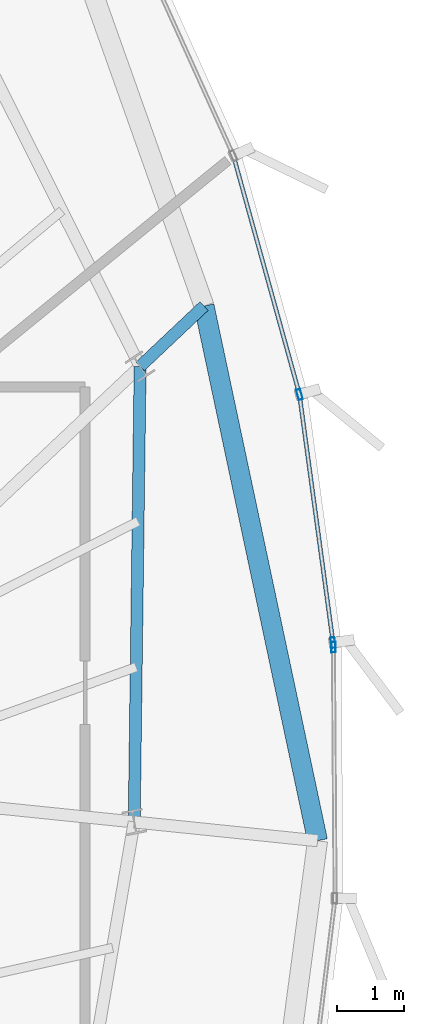
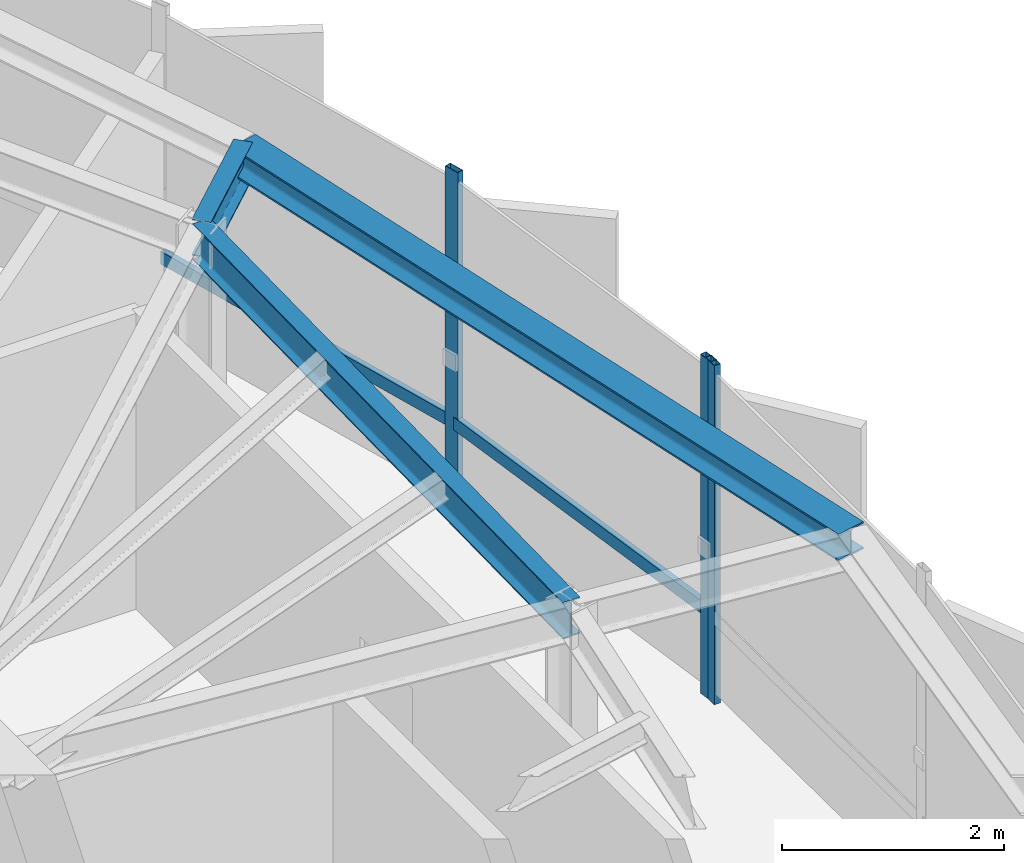
# One storey, part 13 of 26: 5 members, 3 beams, 2 elements without a shape of their own.
"""IFC4 building model written with IfcOpenShell, lengths in metres."""

from ifc_helpers import new_model, si_unit, direction, frame, origin, origin_2d, place, context, subcontext, project, spatial, hollow_rectangle, i_section, extrude, source, transform, mapped, material, layer, layer_set, material_profile, profile_set, type_object, element, aggregate, save


model = new_model("IFC4")

# Units and contexts
model_context = context("Model", 3, precision=1e-05, world=origin(), true_north=direction((0.0, 1.0)))
body_context = subcontext(model_context, "Body", "Model", "MODEL_VIEW")
ifc_project = project(units=[si_unit("LENGTHUNIT", "METRE"), si_unit("AREAUNIT", "SQUARE_METRE"), si_unit("VOLUMEUNIT", "CUBIC_METRE"), si_unit("PLANEANGLEUNIT", "RADIAN"), si_unit("MASSUNIT", "GRAM", prefix="KILO"), si_unit("THERMODYNAMICTEMPERATUREUNIT", "KELVIN")], contexts=[model_context])

# Site, building, storey
site_placement = place(None, origin())
site = spatial("IfcSite", under=ifc_project, at=site_placement, CompositionType="ELEMENT")
building_placement = place(site_placement, origin())
building = spatial("IfcBuilding", under=site, at=building_placement, Name="Kethvar Cultural Tower", CompositionType="ELEMENT")
storey_placement = place(building_placement, frame((0.0, 0.0, 320.300048828125)))
storey = spatial("IfcBuildingStorey", under=building, at=storey_placement, Name="L85", CompositionType="ELEMENT", Elevation=320.300048828125)

# Beams
ifc_material_1 = material(Name="Steel S355J2", Category="steel")
ifc_material_profile_1 = material_profile(ifc_material_1, i_section(OverallWidth=0.179931640625, OverallDepth=0.39990234375, WebThickness=0.008544921875, FlangeThickness=0.013427734375, FilletRadius=0.02099609375, at=origin_2d()), Name="Steel S355J2 — IPE400")
ifc_profile_set_1 = profile_set([ifc_material_profile_1], Name="Steel S355J2 — IPE400")
beam_type_1 = type_object("IfcBeamType", Name="BM-IPE400", PredefinedType="BEAM", material=ifc_profile_set_1)
shared_shape_1 = source(origin(), body_context, "Body", "SweptSolid", [
    extrude(i_section(OverallWidth=0.179931640625, OverallDepth=0.39990234375, WebThickness=0.008544921875, FlangeThickness=0.013427734375, FilletRadius=0.02099609375, at=origin_2d()), origin(), (0.0, 0.0, 1.0), 6.834716796875),
])
beam_1_placement = place(storey_placement, frame((61.237060546875, 30.671630859375, 3.532958984375), z_axis=(0.012966437445, 0.999915932216, 0.0), x_axis=(-0.999915932216, 0.012966437445, 0.0)))
element("IfcBeam", 1, at=beam_1_placement, inside=storey, type_object=beam_type_1, Name="L85 Column Ring Tie Beam CR-01", PredefinedType="BEAM", context=body_context, shape_type="MappedRepresentation", body=[
    mapped(shared_shape_1, transform((0.0, 0.0, 0.0), scale=1.0)),
])
shared_shape_2 = source(origin(), body_context, "Body", "SweptSolid", [
    extrude(i_section(OverallWidth=0.179931640625, OverallDepth=0.39990234375, WebThickness=0.008544921875, FlangeThickness=0.013427734375, FilletRadius=0.02099609375, at=origin_2d()), origin(), (0.0, 0.0, 1.0), 1.31982421875),
])
beam_2_placement = place(storey_placement, frame((61.32568359375, 37.505859375, 3.532958984375), z_axis=(0.727161905196, 0.686465995976, 0.0), x_axis=(-0.686465995976, 0.727161905196, 0.0)))
element("IfcBeam", 2, at=beam_2_placement, inside=storey, type_object=beam_type_1, Name="L85 Perimeter Cantilever Beam RC-02", PredefinedType="BEAM", context=body_context, shape_type="MappedRepresentation", body=[
    mapped(shared_shape_2, transform((0.0, 0.0, 0.0), scale=1.0)),
])
ifc_material_profile_2 = material_profile(ifc_material_1, i_section(OverallWidth=0.300048828125, OverallDepth=0.300048828125, WebThickness=0.010986328125, FlangeThickness=0.01904296875, FilletRadius=0.027099609375, at=origin_2d()), Name="Steel S355J2 — HEB300")
ifc_profile_set_2 = profile_set([ifc_material_profile_2], Name="Steel S355J2 — HEB300")
beam_type_2 = type_object("IfcBeamType", Name="BM-SP300", PredefinedType="SPANDREL", material=ifc_profile_set_2)
shared_shape_3 = source(origin(), body_context, "Body", "SweptSolid", [
    extrude(i_section(OverallWidth=0.300048828125, OverallDepth=0.300048828125, WebThickness=0.010986328125, FlangeThickness=0.01904296875, FilletRadius=0.027099609375, at=origin_2d()), origin(), (0.0, 0.0, 1.0), 8.201171875),
])
beam_3_placement = place(storey_placement, frame((63.98779296875, 30.389404296875, 3.5830078125), z_axis=(-0.207581037514, 0.978217824855, 0.0), x_axis=(-0.978217824855, -0.207581037514, 0.0)))
element("IfcBeam", 3, at=beam_3_placement, inside=storey, type_object=beam_type_2, Name="L85 Perimeter Spandrel Beam SP-01", PredefinedType="SPANDREL", context=body_context, shape_type="MappedRepresentation", body=[
    mapped(shared_shape_3, transform((0.0, 0.0, 0.0), scale=1.0)),
])

# Curtain wall, member
ifc_material_2 = material(Name="Aluminium 6063-T6", Category="aluminium")
ifc_layer = layer(ifc_material_2, 0.179931640625, Name="Aluminium 6063-T6", Category="aluminium")
ifc_layer_set = layer_set([ifc_layer], Name="Aluminium 6063-T6 (180 mm)")
curtain_wall_type = type_object("IfcCurtainWallType", Name="CW-SYS-06-CROWN", PredefinedType="NOTDEFINED", material=ifc_layer_set)
curtain_wall_1_placement = place(storey_placement, origin())
curtain_wall_1 = element("IfcCurtainWall", 4, at=curtain_wall_1_placement, inside=storey, type_object=curtain_wall_type, Name="L85 Curtain Wall Run 05", PredefinedType="NOTDEFINED")
ifc_material_profile_3 = material_profile(ifc_material_2, hollow_rectangle(XDim=0.06494140625, YDim=0.159912109375, WallThickness=0.0048828125, at=origin_2d()), Name="Aluminium 6063-T6 — RHS160x65x5")
ifc_profile_set_3 = profile_set([ifc_material_profile_3], Name="Aluminium 6063-T6 — RHS160x65x5")
member_type_1 = type_object("IfcMemberType", Name="CW-SYS-06-CROWN-MUL", PredefinedType="MULLION", material=ifc_profile_set_3)
shared_shape_4 = source(origin(), body_context, "Body", "SweptSolid", [
    extrude(hollow_rectangle(XDim=0.06494140625, YDim=0.159912109375, WallThickness=0.0048828125, at=origin_2d()), origin(), (0.0, 0.0, 1.0), 3.73486328125),
])
member_1_placement = place(storey_placement, frame((64.22509765625, 33.294189453125, 0.0), z_axis=(0.0, 0.0, 1.0), x_axis=(-0.999976595726, -0.006841637293, 0.0)))
member_1 = element("IfcMember", 5, at=member_1_placement, type_object=member_type_1, Name="CW-L85-R05 Mullion 7", PredefinedType="MULLION", context=body_context, shape_type="MappedRepresentation", body=[
    mapped(shared_shape_4, transform((0.0, 0.0, 0.0), scale=1.0)),
])
aggregate(curtain_wall_1, [member_1])

# Curtain wall, members
curtain_wall_2_placement = place(storey_placement, origin())
curtain_wall_2 = element("IfcCurtainWall", 6, at=curtain_wall_2_placement, inside=storey, type_object=curtain_wall_type, Name="L85 Curtain Wall Run 06", PredefinedType="NOTDEFINED")
member_2_placement = place(storey_placement, frame((64.22021484375, 33.363037109375, 0.0), z_axis=(0.0, 0.0, 1.0), x_axis=(-0.99093636934, -0.134332095642, 0.0)))
member_2 = element("IfcMember", 7, at=member_2_placement, type_object=member_type_1, Name="CW-L85-R06 Mullion 1", PredefinedType="MULLION", context=body_context, shape_type="MappedRepresentation", body=[
    mapped(shared_shape_4, transform((0.0, 0.0, 0.0), scale=1.0)),
])
member_3_placement = place(storey_placement, frame((63.716552734375, 37.08544921875, 0.0), z_axis=(0.0, 0.0, 1.0), x_axis=(-0.963770246796, -0.266733783743, 0.0)))
member_3 = element("IfcMember", 8, at=member_3_placement, type_object=member_type_1, Name="CW-L85-R06 Mullion 2", PredefinedType="MULLION", context=body_context, shape_type="MappedRepresentation", body=[
    mapped(shared_shape_4, transform((0.0, 0.0, 0.0), scale=1.0)),
])
ifc_material_profile_4 = material_profile(ifc_material_2, hollow_rectangle(XDim=0.06005859375, YDim=0.139892578125, WallThickness=0.0048828125, at=origin_2d()), Name="Aluminium 6063-T6 — RHS140x60x5")
ifc_profile_set_4 = profile_set([ifc_material_profile_4], Name="Aluminium 6063-T6 — RHS140x60x5")
member_type_2 = type_object("IfcMemberType", Name="CW-SYS-06-CROWN-TRN", PredefinedType="USERDEFINED", material=ifc_profile_set_4)
shared_shape_5 = source(origin(), body_context, "Body", "SweptSolid", [
    extrude(hollow_rectangle(XDim=0.06005859375, YDim=0.139892578125, WallThickness=0.0048828125, at=origin_2d()), origin(), (0.0, 0.0, 1.0), 3.720947265625),
])
member_4_placement = place(storey_placement, frame((64.219482421875, 33.36767578125, 0.949951171875), z_axis=(-0.134307981132, 0.990939638023, 0.0), x_axis=(-0.990939638023, -0.134307981132, 0.0)))
member_4 = element("IfcMember", 9, at=member_4_placement, type_object=member_type_2, Name="CW-L85-R06 Transom 1", ObjectType="TRANSOM", PredefinedType="USERDEFINED", context=body_context, shape_type="MappedRepresentation", body=[
    mapped(shared_shape_5, transform((0.0, 0.0, 0.0), scale=1.0)),
])
shared_shape_6 = source(origin(), body_context, "Body", "SweptSolid", [
    extrude(hollow_rectangle(XDim=0.06005859375, YDim=0.139892578125, WallThickness=0.0048828125, at=origin_2d()), origin(), (0.0, 0.0, 1.0), 3.638916015625),
])
member_5_placement = place(storey_placement, frame((63.7041015625, 37.130615234375, 0.949951171875), z_axis=(-0.26675445549, 0.96376452543, 0.0), x_axis=(-0.96376452543, -0.26675445549, 0.0)))
member_5 = element("IfcMember", 10, at=member_5_placement, type_object=member_type_2, Name="CW-L85-R06 Transom 2", ObjectType="TRANSOM", PredefinedType="USERDEFINED", context=body_context, shape_type="MappedRepresentation", body=[
    mapped(shared_shape_6, transform((0.0, 0.0, 0.0), scale=1.0)),
])
aggregate(curtain_wall_2, [member_2, member_3, member_4, member_5])

save(model, "model.ifc")
